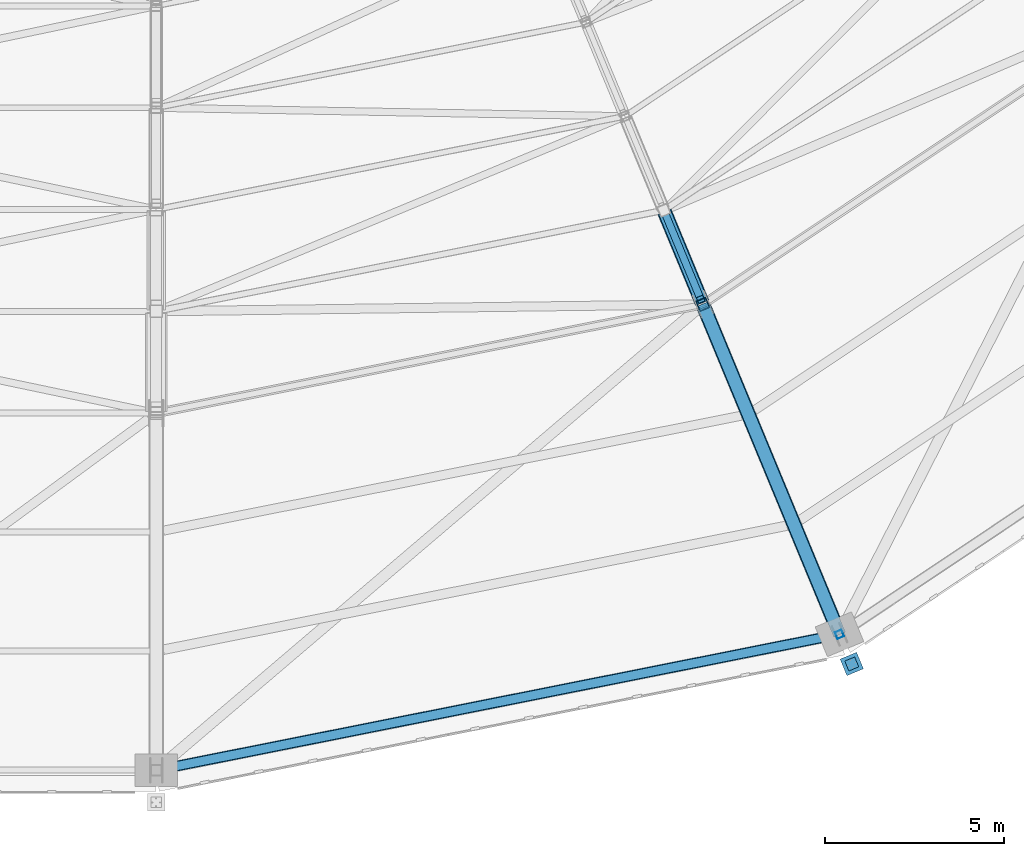
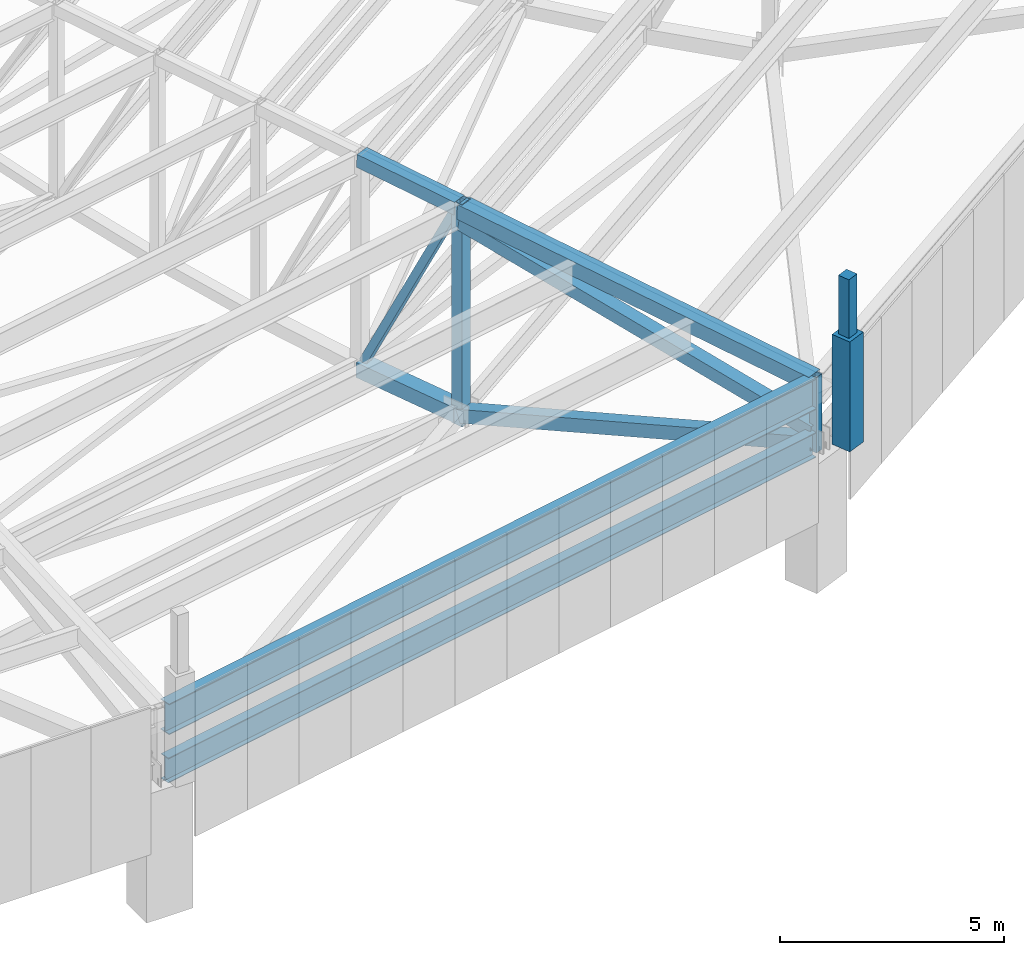
# One storey, part 42 of 278: 6 beams, 6 members.
"""IFC4 building model written with IfcOpenShell, lengths in metres."""

from ifc_helpers import new_model, si_unit, direction, frame, origin, origin_2d, place, context, subcontext, project, spatial, rectangle, hollow_rectangle, i_section, extrude, material, material_profile, profile_set, type_object, element, save


model = new_model("IFC4")

# Units and contexts
model_context = context("Model", 3, precision=1e-05, world=origin(), true_north=direction((0.0, 1.0)))
body_context = subcontext(model_context, "Body", "Model", "MODEL_VIEW")
ifc_project = project(units=[si_unit("LENGTHUNIT", "METRE"), si_unit("AREAUNIT", "SQUARE_METRE"), si_unit("VOLUMEUNIT", "CUBIC_METRE"), si_unit("PLANEANGLEUNIT", "RADIAN"), si_unit("MASSUNIT", "GRAM", prefix="KILO")], contexts=[model_context])

# Site, building, storey
site_placement = place(None, origin())
site = spatial("IfcSite", under=ifc_project, at=site_placement, CompositionType="ELEMENT")
building_placement = place(site_placement, origin())
building = spatial("IfcBuilding", under=site, at=building_placement, Name="Ogive Plaza Stadium", CompositionType="ELEMENT")
storey_placement = place(building_placement, frame((0.0, 0.0, 29.0)))
storey = spatial("IfcBuildingStorey", under=building, at=storey_placement, Name="Roof", CompositionType="ELEMENT", Elevation=29.0)

# Members
ifc_material_1 = material(Name="Concrete C45/55 precast", Category="concrete")
ifc_material_profile_1 = material_profile(ifc_material_1, rectangle(XDim=0.5, YDim=0.5, at=origin_2d()), Name="RC 500x500")
ifc_profile_set_1 = profile_set([ifc_material_profile_1], Name="Concrete C45/55 precast")
member_type_1 = type_object("IfcMemberType", Name="Precast pinnacle 500x500", PredefinedType="POST", material=ifc_profile_set_1)
member_1_placement = place(storey_placement, frame((53.478515625, -99.525390625, 4.0), z_axis=(0.0, 0.0, 1.0), x_axis=(0.923879532511, 0.382683432365, 0.0)))
element("IfcMember", 1, at=member_1_placement, inside=storey, type_object=member_type_1, Name="PINNACLE R11", PredefinedType="POST", context=body_context, shape_type="SweptSolid", body=[
    extrude(rectangle(XDim=0.5, YDim=0.5, at=origin_2d()), origin(), (0.0, 0.0, 1.0), 3.0),
])
ifc_material_2 = material(Name="Concrete C45/55 precast", Category="concrete")
ifc_material_profile_2 = material_profile(ifc_material_2, rectangle(XDim=0.300048828125, YDim=0.300048828125, at=origin_2d()), Name="RC 300x300")
ifc_profile_set_2 = profile_set([ifc_material_profile_2], Name="Concrete C45/55 precast")
member_type_2 = type_object("IfcMemberType", Name="Precast spire 300x300", PredefinedType="MEMBER", material=ifc_profile_set_2)
member_2_placement = place(storey_placement, frame((53.478515625, -99.525390625, 7.0), z_axis=(0.0, 0.0, 1.0), x_axis=(0.923879532511, 0.382683432365, 0.0)))
element("IfcMember", 2, at=member_2_placement, inside=storey, type_object=member_type_2, Name="SPIRE R11", PredefinedType="MEMBER", context=body_context, shape_type="SweptSolid", body=[
    extrude(rectangle(XDim=0.300048828125, YDim=0.300048828125, at=origin_2d()), origin(), (0.0, 0.0, 1.0), 1.60009765625),
])
ifc_material_3 = material(Name="Steel ASTM A992 Grade 50", Category="steel")
ifc_material_profile_3 = material_profile(ifc_material_3, i_section(OverallWidth=0.2529296875, OverallDepth=0.678466796875, WebThickness=0.01171875, FlangeThickness=0.016357421875, at=origin_2d()), Name="W27X84")
ifc_profile_set_3 = profile_set([ifc_material_profile_3], Name="Steel ASTM A992 Grade 50")
member_type_3 = type_object("IfcMemberType", Name="Roof plan strut W27X84", PredefinedType="STRUT", material=ifc_profile_set_3)
member_3_placement = place(storey_placement, frame((53.037353515625, -98.713134765625, 3.677734375), z_axis=(-0.980783455639, -0.195099495499, 0.0), x_axis=(0.195099495499, -0.980783455639, 0.0)))
element("IfcMember", 3, at=member_3_placement, inside=storey, type_object=member_type_3, Name="ROOF STRUT B11 11", PredefinedType="STRUT", context=body_context, shape_type="SweptSolid", body=[
    extrude(i_section(OverallWidth=0.2529296875, OverallDepth=0.678466796875, WebThickness=0.01171875, FlangeThickness=0.016357421875, at=origin_2d()), origin(), (0.0, 0.0, 1.0), 19.259765625),
])
ifc_material_4 = material(Name="Steel ASTM A992 Grade 50", Category="steel")
ifc_material_profile_4 = material_profile(ifc_material_4, i_section(OverallWidth=0.2919921875, OverallDepth=0.834716796875, WebThickness=0.013916015625, FlangeThickness=0.018798828125, at=origin_2d()), Name="W33X118")
ifc_profile_set_4 = profile_set([ifc_material_profile_4], Name="Steel ASTM A992 Grade 50")
member_type_4 = type_object("IfcMemberType", Name="Roof purlin W33X118", PredefinedType="PURLIN", material=ifc_profile_set_4)
member_4_placement = place(storey_placement, frame((53.033447265625, -98.714111328125, 5.082763671875), z_axis=(-0.98078547793, -0.195089328978, 0.0), x_axis=(0.195089328978, -0.98078547793, 0.0)))
element("IfcMember", 4, at=member_4_placement, inside=storey, type_object=member_type_4, Name="ROOF PURLIN B11 13", PredefinedType="PURLIN", context=body_context, shape_type="SweptSolid", body=[
    extrude(i_section(OverallWidth=0.2919921875, OverallDepth=0.834716796875, WebThickness=0.013916015625, FlangeThickness=0.018798828125, at=origin_2d()), origin(), (0.0, 0.0, 1.0), 19.251953125),
])

# Beams
ifc_material_5 = material(Name="Steel ASTM A500 Grade C", Category="steel")
ifc_material_profile_5 = material_profile(ifc_material_5, hollow_rectangle(XDim=0.355712890625, YDim=0.355712890625, WallThickness=0.0146484375, at=origin_2d()), Name="HSS14X14X5/8")
ifc_profile_set_5 = profile_set([ifc_material_profile_5], Name="Steel ASTM A500 Grade C")
beam_type_1 = type_object("IfcBeamType", Name="Roof truss back-span bottom chord HSS14X14X5/8", PredefinedType="BEAM", material=ifc_profile_set_5)
beam_1_placement = place(storey_placement, frame((49.326416015625, -89.50146484375, 0.205810546875), z_axis=(0.361198342864, -0.8720107052, 0.330352973543), x_axis=(0.92387965154, 0.382683145003, 0.0)))
element("IfcBeam", 5, at=beam_1_placement, inside=storey, type_object=beam_type_1, Name="ROOF TRUSS T11 BOTTOM CHORD 11", PredefinedType="BEAM", context=body_context, shape_type="SweptSolid", body=[
    extrude(hollow_rectangle(XDim=0.355712890625, YDim=0.355712890625, WallThickness=0.0146484375, at=origin_2d()), origin(), (0.0, 0.0, 1.0), 10.4794921875),
])
ifc_material_6 = material(Name="Steel ASTM A500 Grade C", Category="steel")
ifc_material_profile_6 = material_profile(ifc_material_6, hollow_rectangle(XDim=0.406494140625, YDim=0.406494140625, WallThickness=0.01171875, at=origin_2d()), Name="HSS16X16X1/2")
ifc_profile_set_6 = profile_set([ifc_material_profile_6], Name="Steel ASTM A500 Grade C")
beam_type_2 = type_object("IfcBeamType", Name="Roof truss back-span top chord HSS16X16X1/2", PredefinedType="BEAM", material=ifc_profile_set_6)
beam_2_placement = place(storey_placement, frame((49.326416015625, -89.50146484375, 5.7939453125), z_axis=(0.382212873931, -0.922724635654, -0.049925602233), x_axis=(0.923876765838, 0.382690111637, 0.0)))
element("IfcBeam", 6, at=beam_2_placement, inside=storey, type_object=beam_type_2, Name="ROOF TRUSS T11 TOP CHORD 11", PredefinedType="BEAM", context=body_context, shape_type="SweptSolid", body=[
    extrude(hollow_rectangle(XDim=0.406494140625, YDim=0.406494140625, WallThickness=0.01171875, at=origin_2d()), origin(), (0.0, 0.0, 1.0), 9.912109375),
])

# Member
ifc_material_7 = material(Name="Steel ASTM A500 Grade C", Category="steel")
ifc_material_profile_7 = material_profile(ifc_material_7, hollow_rectangle(XDim=0.355712890625, YDim=0.355712890625, WallThickness=0.01171875, at=origin_2d()), Name="HSS14X14X1/2")
ifc_profile_set_7 = profile_set([ifc_material_profile_7], Name="Steel ASTM A500 Grade C")
member_type_5 = type_object("IfcMemberType", Name="Roof truss back-stay HSS14X14X1/2", PredefinedType="BRACE", material=ifc_profile_set_7)
member_5_placement = place(storey_placement, frame((49.3330078125, -89.51708984375, 5.456787109375), z_axis=(0.378574229049, -0.913970348271, -0.146081332079), x_axis=(0.923881206794, 0.382679390263, 0.0)))
element("IfcMember", 7, at=member_5_placement, inside=storey, type_object=member_type_5, Name="BACK-STAY T11", PredefinedType="BRACE", context=body_context, shape_type="SweptSolid", body=[
    extrude(hollow_rectangle(XDim=0.355712890625, YDim=0.355712890625, WallThickness=0.01171875, at=origin_2d()), origin(), (0.0, 0.0, 1.0), 10.024169921875),
])

# Beam
ifc_material_8 = material(Name="Steel ASTM A500 Grade C", Category="steel")
ifc_material_profile_8 = material_profile(ifc_material_8, hollow_rectangle(XDim=0.406494140625, YDim=0.406494140625, WallThickness=0.0146484375, at=origin_2d()), Name="HSS16X16X5/8")
ifc_profile_set_8 = profile_set([ifc_material_profile_8], Name="Steel ASTM A500 Grade C")
beam_type_3 = type_object("IfcBeamType", Name="Roof truss bottom chord HSS16X16X5/8", PredefinedType="BEAM", material=ifc_profile_set_8)
beam_3_placement = place(storey_placement, frame((48.23583984375, -86.868408203125, 0.266357421875), z_axis=(0.382562952761, -0.923654312396, -0.022545473318), x_axis=(0.923889147914, 0.382660217904, 0.0)))
element("IfcBeam", 8, at=beam_3_placement, inside=storey, type_object=beam_type_3, Name="ROOF TRUSS T11 BOTTOM CHORD 10", PredefinedType="BEAM", context=body_context, shape_type="SweptSolid", body=[
    extrude(hollow_rectangle(XDim=0.406494140625, YDim=0.406494140625, WallThickness=0.0146484375, at=origin_2d()), origin(), (0.0, 0.0, 1.0), 2.75048828125),
])

# Member
ifc_material_9 = material(Name="Steel ASTM A500 Grade C", Category="steel")
ifc_material_profile_9 = material_profile(ifc_material_9, hollow_rectangle(XDim=0.203125, YDim=0.203125, WallThickness=0.0087890625, at=origin_2d()), Name="HSS8X8X3/8")
ifc_profile_set_9 = profile_set([ifc_material_profile_9], Name="Steel ASTM A500 Grade C")
member_type_6 = type_object("IfcMemberType", Name="Roof truss diagonal HSS8X8X3/8", PredefinedType="BRACE", material=ifc_profile_set_9)
member_6_placement = place(storey_placement, frame((48.27490234375, -86.962890625, 0.470703125), z_axis=(0.168947413355, -0.407844983819, 0.897284370027), x_axis=(0.923869529365, 0.382707581205, 0.0)))
element("IfcMember", 9, at=member_6_placement, inside=storey, type_object=member_type_6, Name="ROOF TRUSS T11 DIAGONAL 10", PredefinedType="BRACE", context=body_context, shape_type="SweptSolid", body=[
    extrude(hollow_rectangle(XDim=0.203125, YDim=0.203125, WallThickness=0.0087890625, at=origin_2d()), origin(), (0.0, 0.0, 1.0), 5.765869140625),
])

# Beams
ifc_material_10 = material(Name="Steel ASTM A500 Grade C", Category="steel")
ifc_material_profile_10 = material_profile(ifc_material_10, hollow_rectangle(XDim=0.3046875, YDim=0.3046875, WallThickness=0.01171875, at=origin_2d()), Name="HSS12X12X1/2")
ifc_profile_set_10 = profile_set([ifc_material_profile_10], Name="Steel ASTM A500 Grade C")
beam_type_4 = type_object("IfcBeamType", Name="Roof truss post HSS12X12X1/2", PredefinedType="BEAM", material=ifc_profile_set_10)
beam_4_placement = place(storey_placement, frame((49.307373046875, -89.455078125, -0.06005859375), z_axis=(0.0, 0.0, 1.0), x_axis=(0.923879532511, 0.382683432365, 0.0)))
element("IfcBeam", 10, at=beam_4_placement, inside=storey, type_object=beam_type_4, Name="ROOF TRUSS T11 POST 11", PredefinedType="BEAM", context=body_context, shape_type="SweptSolid", body=[
    extrude(hollow_rectangle(XDim=0.3046875, YDim=0.3046875, WallThickness=0.01171875, at=origin_2d()), origin(), (0.0, 0.0, 1.0), 6.06005859375),
])
ifc_material_11 = material(Name="Steel ASTM A500 Grade C", Category="steel")
ifc_material_profile_11 = material_profile(ifc_material_11, hollow_rectangle(XDim=0.203125, YDim=0.203125, WallThickness=0.0087890625, at=origin_2d()), Name="HSS8X8X3/8")
ifc_profile_set_11 = profile_set([ifc_material_profile_11], Name="Steel ASTM A500 Grade C")
beam_type_5 = type_object("IfcBeamType", Name="Roof truss post HSS8X8X3/8", PredefinedType="BEAM", material=ifc_profile_set_11)
beam_5_placement = place(storey_placement, frame((53.13427734375, -98.694091796875, 3.43994140625), z_axis=(0.0, 0.0, 1.0), x_axis=(0.923879532511, 0.382683432365, 0.0)))
element("IfcBeam", 11, at=beam_5_placement, inside=storey, type_object=beam_type_5, Name="ROOF TRUSS T11 POST 12", PredefinedType="BEAM", context=body_context, shape_type="SweptSolid", body=[
    extrude(hollow_rectangle(XDim=0.203125, YDim=0.203125, WallThickness=0.0087890625, at=origin_2d()), origin(), (0.0, 0.0, 1.0), 2.06005859375),
])
ifc_material_12 = material(Name="Steel ASTM A500 Grade C", Category="steel")
ifc_material_profile_12 = material_profile(ifc_material_12, hollow_rectangle(XDim=0.355712890625, YDim=0.355712890625, WallThickness=0.01171875, at=origin_2d()), Name="HSS14X14X1/2")
ifc_profile_set_12 = profile_set([ifc_material_profile_12], Name="Steel ASTM A500 Grade C")
beam_type_6 = type_object("IfcBeamType", Name="Roof truss top chord HSS14X14X1/2", PredefinedType="BEAM", material=ifc_profile_set_12)
beam_6_placement = place(storey_placement, frame((48.23583984375, -86.868408203125, 5.9619140625), z_axis=(0.382183063105, -0.922737112453, -0.049923216828), x_axis=(0.923889147914, 0.382660217904, 0.0)))
element("IfcBeam", 12, at=beam_6_placement, inside=storey, type_object=beam_type_6, Name="ROOF TRUSS T11 TOP CHORD 10", PredefinedType="BEAM", context=body_context, shape_type="SweptSolid", body=[
    extrude(hollow_rectangle(XDim=0.355712890625, YDim=0.355712890625, WallThickness=0.01171875, at=origin_2d()), origin(), (0.0, 0.0, 1.0), 2.753173828125),
])

save(model, "model.ifc")
